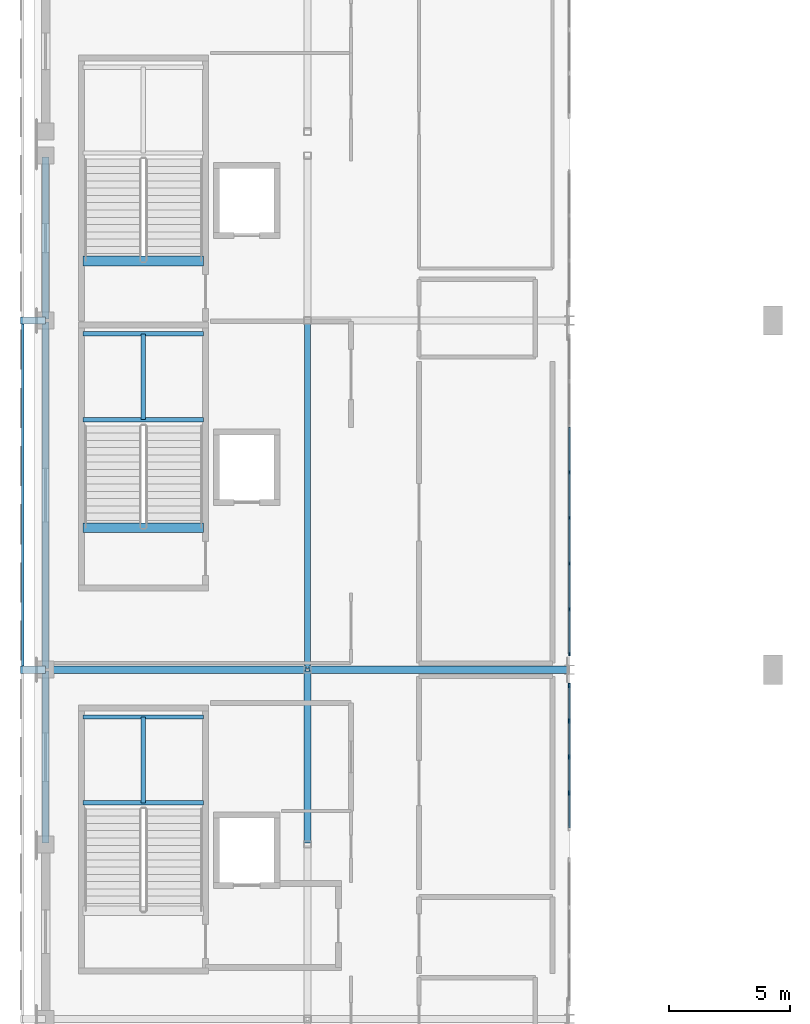
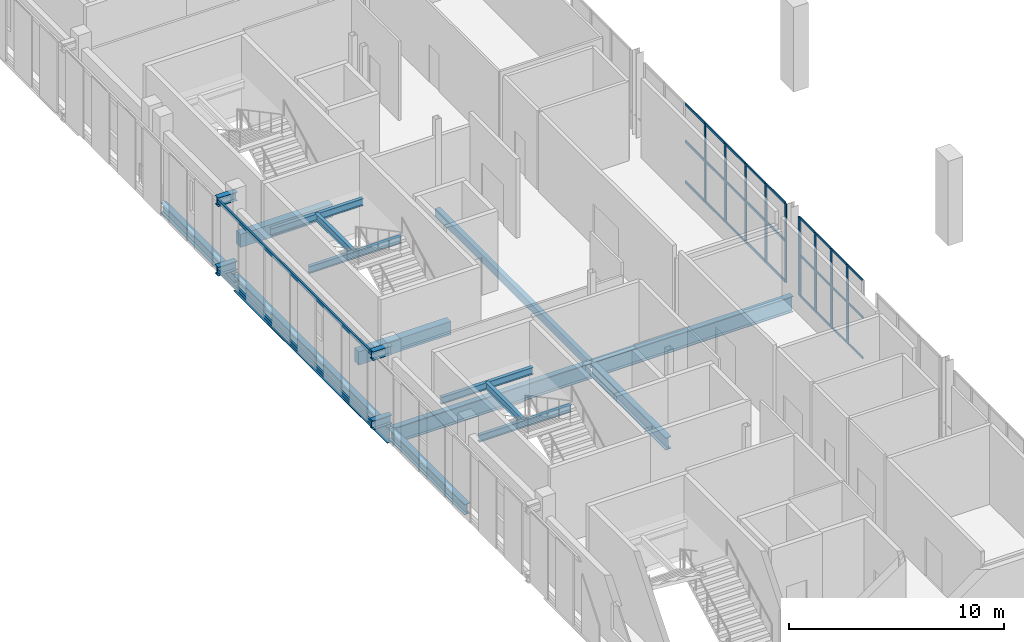
# One storey, part 10 of 51: 38 members, 19 beams, 2 elements without a shape of their own.
"""IFC4 building model written with IfcOpenShell, lengths in metres."""

import ifcopenshell
import ifcopenshell.guid

model = None  # the IFC model being written
_history = None  # IfcOwnerHistory: only IFC2X3 demands one
_inside = {}  # id of a spatial element -> (the spatial element, [elements in it])
_under = {}  # id of a project, library or spatial element -> (it, [spatial elements below it])
_declared = {}  # id of a project -> (the project, [libraries it declares])
_typed = {}  # id of a type object -> (the type object, [elements of that type])
_made_of = {}  # id of a material, layer set ... -> (it, [elements and type objects made of it])


def new_model(schema):
    """Start an empty IFC model of exactly this schema.

    Asked for "IFC4X3", IfcOpenShell would pick the latest addendum, in which some entities
    have other attributes; the version numbers below select the first issue.
    IFC2X3 requires an IfcOwnerHistory on every rooted entity: one is made here for all.
    """
    global model, _history
    if schema == "IFC4X3":
        model = ifcopenshell.file(schema_version=(4, 3, 0, 0))
    else:
        model = ifcopenshell.file(schema=schema)
    _inside.clear()
    _under.clear()
    _declared.clear()
    _typed.clear()
    _made_of.clear()
    _history = None
    if model.schema == "IFC2X3":
        org = make("IfcOrganization", Name="unknown")
        user = make(
            "IfcPersonAndOrganization",
            ThePerson=make("IfcPerson", FamilyName="unknown"),
            TheOrganization=org,
        )
        app = make(
            "IfcApplication",
            ApplicationDeveloper=org,
            Version="unknown",
            ApplicationFullName="unknown",
            ApplicationIdentifier="unknown",
        )
        _history = make(
            "IfcOwnerHistory",
            OwningUser=user,
            OwningApplication=app,
            ChangeAction="ADDED",
            CreationDate=0,
        )
    return model


def make(cls, **values):
    """One entity of the class cls with the attributes given. An attribute that is None is left unset."""
    return model.create_entity(
        cls, **{name: value for name, value in values.items() if value is not None}
    )


def rooted(cls, **values):
    """An entity with a GlobalId (a new one), such as an element, a storey or a relation."""
    return make(cls, GlobalId=ifcopenshell.guid.new(), OwnerHistory=_history, **values)


def si_unit(unit_type, name, prefix=None):
    """IfcSIUnit, for example si_unit("LENGTHUNIT", "METRE", prefix="MILLI")."""
    return make("IfcSIUnit", UnitType=unit_type, Prefix=prefix, Name=name)


def assignment(units):
    """IfcUnitAssignment: the units of a project."""
    return None if units is None else make("IfcUnitAssignment", Units=units)


def point(xyz):
    """IfcCartesianPoint."""
    return None if xyz is None else make("IfcCartesianPoint", Coordinates=xyz)


def direction(xyz):
    """IfcDirection."""
    return None if xyz is None else make("IfcDirection", DirectionRatios=xyz)


def frame(location, z_axis=None, x_axis=None):
    """IfcAxis2Placement3D, a coordinate frame: its origin and axes. An axis left out is left unset."""
    return make(
        "IfcAxis2Placement3D",
        Location=point(location),
        Axis=direction(z_axis),
        RefDirection=direction(x_axis),
    )


def frame_2d(location, x_axis=None):
    """IfcAxis2Placement2D, a coordinate frame in the plane: its origin and x axis."""
    return make(
        "IfcAxis2Placement2D", Location=point(location), RefDirection=direction(x_axis)
    )


def origin():
    """The frame at (0, 0, 0) with its axes left unset."""
    return frame((0.0, 0.0, 0.0))


def origin_2d():
    """The frame at (0, 0) in the plane with its x axis left unset."""
    return frame_2d((0.0, 0.0))


def place(relative_to, where):
    """IfcLocalPlacement: puts the frame where relative to a parent placement (None: the world)."""
    return make(
        "IfcLocalPlacement", PlacementRelTo=relative_to, RelativePlacement=where
    )


def context(
    kind, dimensions, precision=None, world=None, true_north=None, identifier=None
):
    """IfcGeometricRepresentationContext, for example the 3D "Model" context."""
    return make(
        "IfcGeometricRepresentationContext",
        ContextIdentifier=identifier,
        ContextType=kind,
        CoordinateSpaceDimension=dimensions,
        Precision=precision,
        WorldCoordinateSystem=world,
        TrueNorth=true_north,
    )


def subcontext(parent, identifier, kind, view, scale=None):
    """IfcGeometricRepresentationSubContext, for example "Body" below "Model"."""
    return make(
        "IfcGeometricRepresentationSubContext",
        ContextIdentifier=identifier,
        ContextType=kind,
        ParentContext=parent,
        TargetScale=scale,
        TargetView=view,
    )


def project(units=None, contexts=None):
    """IfcProject with its units and contexts."""
    return rooted(
        "IfcProject",
        Name="project",
        RepresentationContexts=contexts,
        UnitsInContext=assignment(units),
    )


def spatial(cls, under=None, at=None, **own):
    """A site, building, storey or space (cls), placed at a placement, below another one or the project."""
    s = rooted(cls, ObjectPlacement=at, **own)
    if under is not None:
        _under.setdefault(under.id(), (under, []))[1].append(s)
    return s


def profile(cls, at=None, kind="AREA", **sizes):
    """A parametric profile (cls). Its sizes go by their IFC names, for example OverallWidth=200.0."""
    return make(cls, ProfileType=kind, Position=at, **sizes)


def rectangle(**sizes):
    """IfcRectangleProfileDef."""
    return profile("IfcRectangleProfileDef", **sizes)


def hollow_rectangle(**sizes):
    """IfcRectangleHollowProfileDef."""
    return profile("IfcRectangleHollowProfileDef", **sizes)


def i_section(**sizes):
    """IfcIShapeProfileDef."""
    return profile("IfcIShapeProfileDef", **sizes)


def extrude(swept, where, along, depth):
    """IfcExtrudedAreaSolid: the profile swept, set in the frame where, extruded along a direction by depth."""
    return make(
        "IfcExtrudedAreaSolid",
        SweptArea=swept,
        Position=where,
        ExtrudedDirection=direction(along),
        Depth=depth,
    )


def shape(context_of_items, identifier, shape_type, items):
    """IfcShapeRepresentation: the items that make up one representation, for example the "Body"."""
    return make(
        "IfcShapeRepresentation",
        ContextOfItems=context_of_items,
        RepresentationIdentifier=identifier,
        RepresentationType=shape_type,
        Items=items,
    )


def material(Name=None, Category=None):
    """IfcMaterial."""
    return make("IfcMaterial", Name=Name, Category=Category)


def material_profile(
    of_material, cross_section, Name=None, Category=None, Priority=None
):
    """IfcMaterialProfile: a cross section and its material."""
    return make(
        "IfcMaterialProfile",
        Name=Name,
        Material=of_material,
        Profile=cross_section,
        Priority=Priority,
        Category=Category,
    )


def profile_set(profiles, Name=None, composite=None):
    """IfcMaterialProfileSet."""
    return make(
        "IfcMaterialProfileSet",
        Name=Name,
        MaterialProfiles=profiles,
        CompositeProfile=composite,
    )


def made_of(thing, what):
    """Note that an element or type object is made of a material, layer set ...; save() writes the relation."""
    if what is not None:
        _made_of.setdefault(what.id(), (what, []))[1].append(thing)
    return thing


def type_object(cls, material=None, **own):
    """A type object (cls), such as IfcWallType, which elements share."""
    return made_of(rooted(cls, **own), material)


def element(
    cls,
    number,
    at=None,
    inside=None,
    cuts=None,
    type_object=None,
    material=None,
    context=None,
    identifier="Body",
    shape_type=None,
    held_by="IfcProductDefinitionShape",
    body=None,
    shapes=None,
    **own,
):
    """One element of the class cls, such as IfcWall. Its Tag is "e" and its number.

    at: its placement. inside: the storey or other place that contains it. cuts: it is an
    opening in that element (IfcRelVoidsElement). A single representation is given by context,
    identifier, shape_type and body (its items); several are given by shapes. held_by: the class
    of the entity that holds the representations. save() writes the other relations.
    """
    e = rooted(cls, Tag="e%d" % number, ObjectPlacement=at, **own)
    if body is not None:
        shapes = [shape(context, identifier, shape_type, body)]
    if shapes is not None:
        e.Representation = make(held_by, Representations=shapes)
    if inside is not None:
        _inside.setdefault(inside.id(), (inside, []))[1].append(e)
    if cuts is not None:
        rooted(
            "IfcRelVoidsElement", RelatingBuildingElement=cuts, RelatedOpeningElement=e
        )
    if type_object is not None:
        _typed.setdefault(type_object.id(), (type_object, []))[1].append(e)
    return made_of(e, material)


def aggregate(whole, parts):
    """IfcRelAggregates: a whole, such as a stair, and the parts it consists of."""
    return rooted("IfcRelAggregates", RelatingObject=whole, RelatedObjects=parts)


def save(model, path):
    """Write the relations noted so far, then the file.

    IfcRelAggregates (storeys below a building ...), IfcRelContainedInSpatialStructure (elements
    in a storey), IfcRelDefinesByType, IfcRelAssociatesMaterial and IfcRelDeclares: one each for
    every whole, place, type object, material and project.
    """
    for whole, parts in _under.values():
        aggregate(whole, parts)
    for where, things in _inside.values():
        rooted(
            "IfcRelContainedInSpatialStructure",
            RelatedElements=things,
            RelatingStructure=where,
        )
    for kind, things in _typed.values():
        rooted("IfcRelDefinesByType", RelatedObjects=things, RelatingType=kind)
    for what, things in _made_of.values():
        rooted("IfcRelAssociatesMaterial", RelatedObjects=things, RelatingMaterial=what)
    for by, libraries in _declared.values():
        rooted("IfcRelDeclares", RelatingContext=by, RelatedDefinitions=libraries)
    model.write(path)


model = new_model("IFC4")

# Units and contexts
model_context = context("Model", 3, precision=1e-05, world=origin(), true_north=direction((0.0, 1.0)))
body_context = subcontext(model_context, "Body", "Model", "MODEL_VIEW")
ifc_project = project(units=[si_unit("LENGTHUNIT", "METRE"), si_unit("AREAUNIT", "SQUARE_METRE"), si_unit("VOLUMEUNIT", "CUBIC_METRE"), si_unit("PLANEANGLEUNIT", "RADIAN"), si_unit("MASSUNIT", "GRAM", prefix="KILO")], contexts=[model_context])

# Site, building, storey
site_placement = place(None, origin())
site = spatial("IfcSite", under=ifc_project, at=site_placement, CompositionType="ELEMENT")
building_placement = place(site_placement, origin())
building = spatial("IfcBuilding", under=site, at=building_placement, Name="Koshinbarg Plaza Stadium", CompositionType="ELEMENT")
storey_placement = place(building_placement, frame((0.0, 0.0, 24.60009765625)))
storey = spatial("IfcBuildingStorey", under=building, at=storey_placement, Name="L05", CompositionType="ELEMENT", Elevation=24.60009765625)

# Beams
ifc_material_1 = material(Name="Steel S355", Category="steel")
ifc_material_profile_1 = material_profile(ifc_material_1, i_section(OverallWidth=0.300048828125, OverallDepth=0.5, WebThickness=0.014404296875, FlangeThickness=0.028076171875, at=origin_2d()), Name="HEB 500")
ifc_profile_set_1 = profile_set([ifc_material_profile_1], Name="Steel S355")
beam_type_1 = type_object("IfcBeamType", Name="BM-CANOPY-CANT", PredefinedType="BEAM", material=ifc_profile_set_1)
for number, where, z_axis, x_axis, name in (
    (1, (24.60009765625, 54.300048828125, 0.25), (-1.0, 0.0, 0.0), (0.0, -1.0, 0.0), "Outer screen cantilever outrigger W-L05-Y03"),
    (2, (24.60009765625, 54.300048828125, 4.179931640625), (-1.0, 0.0, 0.0), (0.0, -1.0, 0.0), "Outer screen cantilever outrigger W-L05-Y03"),
    (3, (24.60009765625, 68.699951171875, 0.25), (-1.0, 0.0, 0.0), (0.0, -1.0, 0.0), "Outer screen cantilever outrigger W-L05-Y04"),
    (4, (24.60009765625, 68.699951171875, 4.179931640625), (-1.0, 0.0, 0.0), (0.0, -1.0, 0.0), "Outer screen cantilever outrigger W-L05-Y04"),
):
    element("IfcBeam", number, at=place(storey_placement, frame(where, z_axis=z_axis, x_axis=x_axis)), inside=storey, type_object=beam_type_1, Name=name, PredefinedType="BEAM", context=body_context, shape_type="SweptSolid", body=[
        extrude(i_section(OverallWidth=0.300048828125, OverallDepth=0.5, WebThickness=0.014404296875, FlangeThickness=0.028076171875, at=origin_2d()), origin(), (0.0, 0.0, 1.0), 1.030029296875),
    ])
ifc_material_2 = material(Name="Concrete C40/50", Category="concrete")
ifc_material_profile_2 = material_profile(ifc_material_2, rectangle(XDim=0.39990234375, YDim=0.75, at=origin_2d()), Name="RC 400x750")
ifc_profile_set_2 = profile_set([ifc_material_profile_2], Name="Concrete C40/50")
beam_type_2 = type_object("IfcBeamType", Name="BM-RCG-03", PredefinedType="USERDEFINED", material=ifc_profile_set_2)
for number, where, z_axis, x_axis, name in (
    (5, (26.14990234375, 60.159912109375, -0.375), (1.0, 0.0, 0.0), (0.0, 1.0, 0.0), "L05 stair landing header beam C03"),
    (6, (26.14990234375, 71.159912109375, -0.375), (1.0, 0.0, 0.0), (0.0, 1.0, 0.0), "L05 stair landing header beam C04"),
):
    element("IfcBeam", number, at=place(storey_placement, frame(where, z_axis=z_axis, x_axis=x_axis)), inside=storey, type_object=beam_type_2, Name=name, ObjectType="GIRDER", PredefinedType="USERDEFINED", context=body_context, shape_type="SweptSolid", body=[
        extrude(rectangle(XDim=0.39990234375, YDim=0.75, at=origin_2d()), origin(), (0.0, 0.0, 1.0), 4.97021484375),
    ])
ifc_material_profile_3 = material_profile(ifc_material_1, i_section(OverallWidth=0.179931640625, OverallDepth=0.39990234375, WebThickness=0.008544921875, FlangeThickness=0.013427734375, at=origin_2d()), Name="IPE 400")
ifc_profile_set_3 = profile_set([ifc_material_profile_3], Name="Steel S355")
beam_type_3 = type_object("IfcBeamType", Name="BM-SBM-01", PredefinedType="BEAM", material=ifc_profile_set_3)
for number, where, z_axis, x_axis, name in (
    (7, (26.14990234375, 48.81005859375, 1.8798828125), (1.0, 0.0, 0.0), (0.0, 1.0, 0.0), "L05 Protected Exit Stair C02 landing trimmer beam 1"),
    (8, (26.14990234375, 52.35009765625, 1.8798828125), (1.0, 0.0, 0.0), (0.0, 1.0, 0.0), "L05 Protected Exit Stair C02 landing trimmer beam 2"),
):
    element("IfcBeam", number, at=place(storey_placement, frame(where, z_axis=z_axis, x_axis=x_axis)), inside=storey, type_object=beam_type_3, Name=name, PredefinedType="BEAM", context=body_context, shape_type="SweptSolid", body=[
        extrude(i_section(OverallWidth=0.179931640625, OverallDepth=0.39990234375, WebThickness=0.008544921875, FlangeThickness=0.013427734375, at=origin_2d()), origin(), (0.0, 0.0, 1.0), 4.97021484375),
    ])
beam_1_placement = place(storey_placement, frame((28.635009765625, 48.81005859375, 1.8798828125), z_axis=(0.0, 1.0, 0.0), x_axis=(-1.0, 0.0, 0.0)))
element("IfcBeam", 9, at=beam_1_placement, inside=storey, type_object=beam_type_3, Name="L05 Protected Exit Stair C02 landing trimmer beam 3", PredefinedType="BEAM", context=body_context, shape_type="SweptSolid", body=[
    extrude(i_section(OverallWidth=0.179931640625, OverallDepth=0.39990234375, WebThickness=0.008544921875, FlangeThickness=0.013427734375, at=origin_2d()), origin(), (0.0, 0.0, 1.0), 3.5400390625),
])
for number, where, z_axis, x_axis, name in (
    (10, (26.14990234375, 64.610107421875, 1.8798828125), (1.0, 0.0, 0.0), (0.0, 1.0, 0.0), "L05 Protected Exit Stair C03 landing trimmer beam 1"),
    (11, (26.14990234375, 68.14990234375, 1.8798828125), (1.0, 0.0, 0.0), (0.0, 1.0, 0.0), "L05 Protected Exit Stair C03 landing trimmer beam 2"),
):
    element("IfcBeam", number, at=place(storey_placement, frame(where, z_axis=z_axis, x_axis=x_axis)), inside=storey, type_object=beam_type_3, Name=name, PredefinedType="BEAM", context=body_context, shape_type="SweptSolid", body=[
        extrude(i_section(OverallWidth=0.179931640625, OverallDepth=0.39990234375, WebThickness=0.008544921875, FlangeThickness=0.013427734375, at=origin_2d()), origin(), (0.0, 0.0, 1.0), 4.97021484375),
    ])
beam_2_placement = place(storey_placement, frame((28.635009765625, 64.610107421875, 1.8798828125), z_axis=(0.0, 1.0, 0.0), x_axis=(-1.0, 0.0, 0.0)))
element("IfcBeam", 12, at=beam_2_placement, inside=storey, type_object=beam_type_3, Name="L05 Protected Exit Stair C03 landing trimmer beam 3", PredefinedType="BEAM", context=body_context, shape_type="SweptSolid", body=[
    extrude(i_section(OverallWidth=0.179931640625, OverallDepth=0.39990234375, WebThickness=0.008544921875, FlangeThickness=0.013427734375, at=origin_2d()), origin(), (0.0, 0.0, 1.0), 3.539794921875),
])
ifc_material_profile_4 = material_profile(ifc_material_1, i_section(OverallWidth=0.300048828125, OverallDepth=0.60009765625, WebThickness=0.015380859375, FlangeThickness=0.030029296875, at=origin_2d()), Name="HEB 600")
ifc_profile_set_4 = profile_set([ifc_material_profile_4], Name="Steel S355")
beam_type_4 = type_object("IfcBeamType", Name="BM-SGIR-02", PredefinedType="USERDEFINED", material=ifc_profile_set_4)
beam_3_placement = place(storey_placement, frame((24.60009765625, 47.159912109375, -0.60009765625), z_axis=(0.0, 1.0, 0.0), x_axis=(-1.0, 0.0, 0.0)))
element("IfcBeam", 13, at=beam_3_placement, inside=storey, type_object=beam_type_4, Name="L05 Y girder 5/G-H", ObjectType="GIRDER", PredefinedType="USERDEFINED", context=body_context, shape_type="SweptSolid", body=[
    extrude(i_section(OverallWidth=0.300048828125, OverallDepth=0.60009765625, WebThickness=0.015380859375, FlangeThickness=0.030029296875, at=origin_2d()), origin(), (0.0, 0.0, 1.0), 7.080078125),
])
beam_4_placement = place(storey_placement, frame((24.60009765625, 68.760009765625, -0.60009765625), z_axis=(0.0, 1.0, 0.0), x_axis=(-1.0, 0.0, 0.0)))
element("IfcBeam", 14, at=beam_4_placement, inside=storey, type_object=beam_type_4, Name="L05 Y girder 5/J-K", ObjectType="GIRDER", PredefinedType="USERDEFINED", context=body_context, shape_type="SweptSolid", body=[
    extrude(i_section(OverallWidth=0.300048828125, OverallDepth=0.60009765625, WebThickness=0.015380859375, FlangeThickness=0.030029296875, at=origin_2d()), origin(), (0.0, 0.0, 1.0), 6.679931640625),
])
ifc_material_profile_5 = material_profile(ifc_material_1, i_section(OverallWidth=0.300048828125, OverallDepth=0.699951171875, WebThickness=0.01708984375, FlangeThickness=0.031982421875, at=origin_2d()), Name="HEB 700")
ifc_profile_set_5 = profile_set([ifc_material_profile_5], Name="Steel S355")
beam_type_5 = type_object("IfcBeamType", Name="BM-SGIR-03", PredefinedType="USERDEFINED", material=ifc_profile_set_5)
beam_5_placement = place(storey_placement, frame((35.39990234375, 47.159912109375, -0.650146484375), z_axis=(0.0, 1.0, 0.0), x_axis=(-1.0, 0.0, 0.0)))
element("IfcBeam", 15, at=beam_5_placement, inside=storey, type_object=beam_type_5, Name="L05 Y girder 6/G-H", ObjectType="GIRDER", PredefinedType="USERDEFINED", context=body_context, shape_type="SweptSolid", body=[
    extrude(i_section(OverallWidth=0.300048828125, OverallDepth=0.699951171875, WebThickness=0.01708984375, FlangeThickness=0.031982421875, at=origin_2d()), origin(), (0.0, 0.0, 1.0), 7.080078125),
])
ifc_material_profile_6 = material_profile(ifc_material_1, i_section(OverallWidth=0.300048828125, OverallDepth=0.89990234375, WebThickness=0.0185546875, FlangeThickness=0.034912109375, at=origin_2d()), Name="HEB 900")
ifc_profile_set_6 = profile_set([ifc_material_profile_6], Name="Steel S355")
beam_type_6 = type_object("IfcBeamType", Name="BM-SGIR-05", PredefinedType="USERDEFINED", material=ifc_profile_set_6)
beam_6_placement = place(storey_placement, frame((24.659912109375, 54.300048828125, -0.75), z_axis=(1.0, 0.0, 0.0), x_axis=(0.0, 1.0, 0.0)))
element("IfcBeam", 16, at=beam_6_placement, inside=storey, type_object=beam_type_6, Name="L05 X girder H/5-6", ObjectType="GIRDER", PredefinedType="USERDEFINED", context=body_context, shape_type="SweptSolid", body=[
    extrude(i_section(OverallWidth=0.300048828125, OverallDepth=0.89990234375, WebThickness=0.0185546875, FlangeThickness=0.034912109375, at=origin_2d()), origin(), (0.0, 0.0, 1.0), 10.68017578125),
])
beam_7_placement = place(storey_placement, frame((35.4599609375, 54.300048828125, -0.75), z_axis=(1.0, 0.0, 0.0), x_axis=(0.0, 1.0, 0.0)))
element("IfcBeam", 17, at=beam_7_placement, inside=storey, type_object=beam_type_6, Name="L05 X girder H/6-7", ObjectType="GIRDER", PredefinedType="USERDEFINED", context=body_context, shape_type="SweptSolid", body=[
    extrude(i_section(OverallWidth=0.300048828125, OverallDepth=0.89990234375, WebThickness=0.0185546875, FlangeThickness=0.034912109375, at=origin_2d()), origin(), (0.0, 0.0, 1.0), 10.679931640625),
])
beam_8_placement = place(storey_placement, frame((24.60009765625, 54.360107421875, -0.75), z_axis=(0.0, 1.0, 0.0), x_axis=(-1.0, 0.0, 0.0)))
element("IfcBeam", 18, at=beam_8_placement, inside=storey, type_object=beam_type_6, Name="L05 Y girder 5/H-J", ObjectType="GIRDER", PredefinedType="USERDEFINED", context=body_context, shape_type="SweptSolid", body=[
    extrude(i_section(OverallWidth=0.300048828125, OverallDepth=0.89990234375, WebThickness=0.0185546875, FlangeThickness=0.034912109375, at=origin_2d()), origin(), (0.0, 0.0, 1.0), 14.27978515625),
])
ifc_material_profile_7 = material_profile(ifc_material_1, hollow_rectangle(XDim=0.25, YDim=0.449951171875, WallThickness=0.01611328125, at=origin_2d()), Name="RHS 450x250x16")
ifc_profile_set_7 = profile_set([ifc_material_profile_7], Name="Steel S355")
beam_type_7 = type_object("IfcBeamType", Name="BM-SGIR-06", PredefinedType="USERDEFINED", material=ifc_profile_set_7)
beam_9_placement = place(storey_placement, frame((35.39990234375, 54.360107421875, -0.525146484375), z_axis=(0.0, 1.0, 0.0), x_axis=(-1.0, 0.0, 0.0)))
element("IfcBeam", 19, at=beam_9_placement, inside=storey, type_object=beam_type_7, Name="L05 Y girder 6/H-J", ObjectType="GIRDER", PredefinedType="USERDEFINED", context=body_context, shape_type="SweptSolid", body=[
    extrude(hollow_rectangle(XDim=0.25, YDim=0.449951171875, WallThickness=0.01611328125, at=origin_2d()), origin(), (0.0, 0.0, 1.0), 14.27978515625),
])

# Curtain wall, members
ifc_material_3 = material(Name="Thermally broken anodised aluminium and low-E double glazing", Category="aluminium")
curtain_wall_type_1 = type_object("IfcCurtainWallType", Name="CW-SYS-10", PredefinedType="NOTDEFINED", material=ifc_material_3)
curtain_wall_1_placement = place(storey_placement, origin())
curtain_wall_1 = element("IfcCurtainWall", 20, at=curtain_wall_1_placement, inside=storey, type_object=curtain_wall_type_1, Name="L05 unitised curtain wall CW-L05-137", PredefinedType="NOTDEFINED")
ifc_material_4 = material(Name="Anodised aluminium mullion", Category="aluminium")
ifc_material_profile_8 = material_profile(ifc_material_4, rectangle(XDim=0.06005859375, YDim=0.159912109375, at=origin_2d()), Name="ALU 60x160")
ifc_profile_set_8 = profile_set([ifc_material_profile_8], Name="Anodised aluminium mullion")
member_type_1 = type_object("IfcMemberType", Name="CW-MUL-02", PredefinedType="MULLION", material=ifc_profile_set_8)
member_1_placement = place(storey_placement, frame((46.199951171875, 62.43994140625, 0.0), z_axis=(0.0, 0.0, 1.0), x_axis=(1.0, 0.0, 0.0)))
member_1 = element("IfcMember", 21, at=member_1_placement, type_object=member_type_1, Name="CW10 mullion 4", PredefinedType="MULLION", context=body_context, shape_type="SweptSolid", body=[
    extrude(rectangle(XDim=0.06005859375, YDim=0.159912109375, at=origin_2d()), origin(), (0.0, 0.0, 1.0), 4.47998046875),
])
member_2_placement = place(storey_placement, frame((46.199951171875, 60.56005859375, 0.0), z_axis=(0.0, 0.0, 1.0), x_axis=(1.0, 0.0, 0.0)))
member_2 = element("IfcMember", 22, at=member_2_placement, type_object=member_type_1, Name="CW10 mullion 5", PredefinedType="MULLION", context=body_context, shape_type="SweptSolid", body=[
    extrude(rectangle(XDim=0.06005859375, YDim=0.159912109375, at=origin_2d()), origin(), (0.0, 0.0, 1.0), 4.47998046875),
])
member_3_placement = place(storey_placement, frame((46.199951171875, 58.679931640625, 0.0), z_axis=(0.0, 0.0, 1.0), x_axis=(1.0, 0.0, 0.0)))
member_3 = element("IfcMember", 23, at=member_3_placement, type_object=member_type_1, Name="CW10 mullion 6", PredefinedType="MULLION", context=body_context, shape_type="SweptSolid", body=[
    extrude(rectangle(XDim=0.06005859375, YDim=0.159912109375, at=origin_2d()), origin(), (0.0, 0.0, 1.0), 4.47998046875),
])
member_4_placement = place(storey_placement, frame((46.199951171875, 56.800048828125, 0.0), z_axis=(0.0, 0.0, 1.0), x_axis=(1.0, 0.0, 0.0)))
member_4 = element("IfcMember", 24, at=member_4_placement, type_object=member_type_1, Name="CW10 mullion 7", PredefinedType="MULLION", context=body_context, shape_type="SweptSolid", body=[
    extrude(rectangle(XDim=0.06005859375, YDim=0.159912109375, at=origin_2d()), origin(), (0.0, 0.0, 1.0), 4.47998046875),
])
member_5_placement = place(storey_placement, frame((46.199951171875, 54.949951171875, 0.0), z_axis=(0.0, 0.0, 1.0), x_axis=(1.0, 0.0, 0.0)))
member_5 = element("IfcMember", 25, at=member_5_placement, type_object=member_type_1, Name="CW10 mullion 8", PredefinedType="MULLION", context=body_context, shape_type="SweptSolid", body=[
    extrude(rectangle(XDim=0.06005859375, YDim=0.159912109375, at=origin_2d()), origin(), (0.0, 0.0, 1.0), 4.47998046875),
])

curtain_wall_type_2 = type_object("IfcCurtainWallType", Name="CW-SYS-11", PredefinedType="NOTDEFINED", material=ifc_material_3)
curtain_wall_2_placement = place(storey_placement, origin())
curtain_wall_2 = element("IfcCurtainWall", 26, at=curtain_wall_2_placement, inside=storey, type_object=curtain_wall_type_2, Name="L05 unitised curtain wall CW-L05-138", PredefinedType="NOTDEFINED")
ifc_material_profile_9 = material_profile(ifc_material_4, rectangle(XDim=0.070068359375, YDim=0.179931640625, at=origin_2d()), Name="ALU 70x180")
ifc_profile_set_9 = profile_set([ifc_material_profile_9], Name="Anodised aluminium mullion")
member_type_2 = type_object("IfcMemberType", Name="CW-MUL-03", PredefinedType="MULLION", material=ifc_profile_set_9)
member_6_placement = place(storey_placement, frame((46.199951171875, 53.64990234375, 0.0), z_axis=(0.0, 0.0, 1.0), x_axis=(1.0, 0.0, 0.0)))
member_6 = element("IfcMember", 27, at=member_6_placement, type_object=member_type_2, Name="CW11 mullion 1", PredefinedType="MULLION", context=body_context, shape_type="SweptSolid", body=[
    extrude(rectangle(XDim=0.070068359375, YDim=0.179931640625, at=origin_2d()), origin(), (0.0, 0.0, 1.0), 4.47998046875),
])
member_7_placement = place(storey_placement, frame((46.199951171875, 52.18994140625, 0.0), z_axis=(0.0, 0.0, 1.0), x_axis=(1.0, 0.0, 0.0)))
member_7 = element("IfcMember", 28, at=member_7_placement, type_object=member_type_2, Name="CW11 mullion 2", PredefinedType="MULLION", context=body_context, shape_type="SweptSolid", body=[
    extrude(rectangle(XDim=0.070068359375, YDim=0.179931640625, at=origin_2d()), origin(), (0.0, 0.0, 1.0), 4.47998046875),
])
member_8_placement = place(storey_placement, frame((46.199951171875, 50.699951171875, 0.0), z_axis=(0.0, 0.0, 1.0), x_axis=(1.0, 0.0, 0.0)))
member_8 = element("IfcMember", 29, at=member_8_placement, type_object=member_type_2, Name="CW11 mullion 3", PredefinedType="MULLION", context=body_context, shape_type="SweptSolid", body=[
    extrude(rectangle(XDim=0.070068359375, YDim=0.179931640625, at=origin_2d()), origin(), (0.0, 0.0, 1.0), 4.47998046875),
])
member_9_placement = place(storey_placement, frame((46.199951171875, 49.2099609375, 0.0), z_axis=(0.0, 0.0, 1.0), x_axis=(1.0, 0.0, 0.0)))
member_9 = element("IfcMember", 30, at=member_9_placement, type_object=member_type_2, Name="CW11 mullion 4", PredefinedType="MULLION", context=body_context, shape_type="SweptSolid", body=[
    extrude(rectangle(XDim=0.070068359375, YDim=0.179931640625, at=origin_2d()), origin(), (0.0, 0.0, 1.0), 4.47998046875),
])
ifc_material_5 = material(Name="Anodised aluminium transom", Category="aluminium")
ifc_material_profile_10 = material_profile(ifc_material_5, rectangle(XDim=0.06005859375, YDim=0.110107421875, at=origin_2d()), Name="ALU 60x110")
ifc_profile_set_10 = profile_set([ifc_material_profile_10], Name="Anodised aluminium transom")
member_type_3 = type_object("IfcMemberType", Name="CW-TRN-01", PredefinedType="USERDEFINED", material=ifc_profile_set_10)
member_10_placement = place(storey_placement, frame((46.199951171875, 53.6201171875, 0.02978515625), z_axis=(0.0, -1.0, 0.0), x_axis=(1.0, 0.0, 0.0)))
member_10 = element("IfcMember", 31, at=member_10_placement, type_object=member_type_3, Name="CW11 transom 1.1", ObjectType="TRANSOM", PredefinedType="USERDEFINED", context=body_context, shape_type="SweptSolid", body=[
    extrude(rectangle(XDim=0.06005859375, YDim=0.110107421875, at=origin_2d()), origin(), (0.0, 0.0, 1.0), 1.400146484375),
])
member_11_placement = place(storey_placement, frame((46.199951171875, 53.6201171875, 2.32958984375), z_axis=(0.0, -1.0, 0.0), x_axis=(1.0, 0.0, 0.0)))
member_11 = element("IfcMember", 32, at=member_11_placement, type_object=member_type_3, Name="CW11 transom 1.2", ObjectType="TRANSOM", PredefinedType="USERDEFINED", context=body_context, shape_type="SweptSolid", body=[
    extrude(rectangle(XDim=0.06005859375, YDim=0.110107421875, at=origin_2d()), origin(), (0.0, 0.0, 1.0), 1.400146484375),
])
member_12_placement = place(storey_placement, frame((46.199951171875, 53.6201171875, 4.449951171875), z_axis=(0.0, -1.0, 0.0), x_axis=(1.0, 0.0, 0.0)))
member_12 = element("IfcMember", 33, at=member_12_placement, type_object=member_type_3, Name="CW11 transom 1.3", ObjectType="TRANSOM", PredefinedType="USERDEFINED", context=body_context, shape_type="SweptSolid", body=[
    extrude(rectangle(XDim=0.06005859375, YDim=0.110107421875, at=origin_2d()), origin(), (0.0, 0.0, 1.0), 1.400146484375),
])
member_13_placement = place(storey_placement, frame((46.199951171875, 52.159912109375, 0.02978515625), z_axis=(0.0, -1.0, 0.0), x_axis=(1.0, 0.0, 0.0)))
member_13 = element("IfcMember", 34, at=member_13_placement, type_object=member_type_3, Name="CW11 transom 2.1", ObjectType="TRANSOM", PredefinedType="USERDEFINED", context=body_context, shape_type="SweptSolid", body=[
    extrude(rectangle(XDim=0.06005859375, YDim=0.110107421875, at=origin_2d()), origin(), (0.0, 0.0, 1.0), 1.429931640625),
])
member_14_placement = place(storey_placement, frame((46.199951171875, 52.159912109375, 2.32958984375), z_axis=(0.0, -1.0, 0.0), x_axis=(1.0, 0.0, 0.0)))
member_14 = element("IfcMember", 35, at=member_14_placement, type_object=member_type_3, Name="CW11 transom 2.2", ObjectType="TRANSOM", PredefinedType="USERDEFINED", context=body_context, shape_type="SweptSolid", body=[
    extrude(rectangle(XDim=0.06005859375, YDim=0.110107421875, at=origin_2d()), origin(), (0.0, 0.0, 1.0), 1.429931640625),
])
member_15_placement = place(storey_placement, frame((46.199951171875, 52.159912109375, 4.449951171875), z_axis=(0.0, -1.0, 0.0), x_axis=(1.0, 0.0, 0.0)))
member_15 = element("IfcMember", 36, at=member_15_placement, type_object=member_type_3, Name="CW11 transom 2.3", ObjectType="TRANSOM", PredefinedType="USERDEFINED", context=body_context, shape_type="SweptSolid", body=[
    extrude(rectangle(XDim=0.06005859375, YDim=0.110107421875, at=origin_2d()), origin(), (0.0, 0.0, 1.0), 1.429931640625),
])
member_16_placement = place(storey_placement, frame((46.199951171875, 50.669921875, 0.02978515625), z_axis=(0.0, -1.0, 0.0), x_axis=(1.0, 0.0, 0.0)))
member_16 = element("IfcMember", 37, at=member_16_placement, type_object=member_type_3, Name="CW11 transom 3.1", ObjectType="TRANSOM", PredefinedType="USERDEFINED", context=body_context, shape_type="SweptSolid", body=[
    extrude(rectangle(XDim=0.06005859375, YDim=0.110107421875, at=origin_2d()), origin(), (0.0, 0.0, 1.0), 1.429931640625),
])
member_17_placement = place(storey_placement, frame((46.199951171875, 50.669921875, 2.32958984375), z_axis=(0.0, -1.0, 0.0), x_axis=(1.0, 0.0, 0.0)))
member_17 = element("IfcMember", 38, at=member_17_placement, type_object=member_type_3, Name="CW11 transom 3.2", ObjectType="TRANSOM", PredefinedType="USERDEFINED", context=body_context, shape_type="SweptSolid", body=[
    extrude(rectangle(XDim=0.06005859375, YDim=0.110107421875, at=origin_2d()), origin(), (0.0, 0.0, 1.0), 1.429931640625),
])
member_18_placement = place(storey_placement, frame((46.199951171875, 50.669921875, 4.449951171875), z_axis=(0.0, -1.0, 0.0), x_axis=(1.0, 0.0, 0.0)))
member_18 = element("IfcMember", 39, at=member_18_placement, type_object=member_type_3, Name="CW11 transom 3.3", ObjectType="TRANSOM", PredefinedType="USERDEFINED", context=body_context, shape_type="SweptSolid", body=[
    extrude(rectangle(XDim=0.06005859375, YDim=0.110107421875, at=origin_2d()), origin(), (0.0, 0.0, 1.0), 1.429931640625),
])
member_19_placement = place(storey_placement, frame((46.199951171875, 49.179931640625, 0.02978515625), z_axis=(0.0, -1.0, 0.0), x_axis=(1.0, 0.0, 0.0)))
member_19 = element("IfcMember", 40, at=member_19_placement, type_object=member_type_3, Name="CW11 transom 4.1", ObjectType="TRANSOM", PredefinedType="USERDEFINED", context=body_context, shape_type="SweptSolid", body=[
    extrude(rectangle(XDim=0.06005859375, YDim=0.110107421875, at=origin_2d()), origin(), (0.0, 0.0, 1.0), 1.39990234375),
])
member_20_placement = place(storey_placement, frame((46.199951171875, 49.179931640625, 2.32958984375), z_axis=(0.0, -1.0, 0.0), x_axis=(1.0, 0.0, 0.0)))
member_20 = element("IfcMember", 41, at=member_20_placement, type_object=member_type_3, Name="CW11 transom 4.2", ObjectType="TRANSOM", PredefinedType="USERDEFINED", context=body_context, shape_type="SweptSolid", body=[
    extrude(rectangle(XDim=0.06005859375, YDim=0.110107421875, at=origin_2d()), origin(), (0.0, 0.0, 1.0), 1.39990234375),
])
member_21_placement = place(storey_placement, frame((46.199951171875, 49.179931640625, 4.449951171875), z_axis=(0.0, -1.0, 0.0), x_axis=(1.0, 0.0, 0.0)))
member_21 = element("IfcMember", 42, at=member_21_placement, type_object=member_type_3, Name="CW11 transom 4.3", ObjectType="TRANSOM", PredefinedType="USERDEFINED", context=body_context, shape_type="SweptSolid", body=[
    extrude(rectangle(XDim=0.06005859375, YDim=0.110107421875, at=origin_2d()), origin(), (0.0, 0.0, 1.0), 1.39990234375),
])
aggregate(curtain_wall_2, [member_6, member_7, member_8, member_9, member_10, member_11, member_12, member_13, member_14, member_15, member_16, member_17, member_18, member_19, member_20, member_21])

# Member
ifc_material_profile_11 = material_profile(ifc_material_5, rectangle(XDim=0.06005859375, YDim=0.1298828125, at=origin_2d()), Name="ALU 60x130")
ifc_profile_set_11 = profile_set([ifc_material_profile_11], Name="Anodised aluminium transom")
member_type_4 = type_object("IfcMemberType", Name="CW-TRN-02", PredefinedType="USERDEFINED", material=ifc_profile_set_11)
member_22_placement = place(storey_placement, frame((46.199951171875, 64.2900390625, 0.02978515625), z_axis=(0.0, -1.0, 0.0), x_axis=(1.0, 0.0, 0.0)))
member_22 = element("IfcMember", 43, at=member_22_placement, type_object=member_type_4, Name="CW10 transom 3.1", ObjectType="TRANSOM", PredefinedType="USERDEFINED", context=body_context, shape_type="SweptSolid", body=[
    extrude(rectangle(XDim=0.06005859375, YDim=0.1298828125, at=origin_2d()), origin(), (0.0, 0.0, 1.0), 1.820068359375),
])

member_23_placement = place(storey_placement, frame((46.199951171875, 64.2900390625, 2.32958984375), z_axis=(0.0, -1.0, 0.0), x_axis=(1.0, 0.0, 0.0)))
member_23 = element("IfcMember", 44, at=member_23_placement, type_object=member_type_4, Name="CW10 transom 3.2", ObjectType="TRANSOM", PredefinedType="USERDEFINED", context=body_context, shape_type="SweptSolid", body=[
    extrude(rectangle(XDim=0.06005859375, YDim=0.1298828125, at=origin_2d()), origin(), (0.0, 0.0, 1.0), 1.820068359375),
])

member_24_placement = place(storey_placement, frame((46.199951171875, 64.2900390625, 4.449951171875), z_axis=(0.0, -1.0, 0.0), x_axis=(1.0, 0.0, 0.0)))
member_24 = element("IfcMember", 45, at=member_24_placement, type_object=member_type_4, Name="CW10 transom 3.3", ObjectType="TRANSOM", PredefinedType="USERDEFINED", context=body_context, shape_type="SweptSolid", body=[
    extrude(rectangle(XDim=0.06005859375, YDim=0.1298828125, at=origin_2d()), origin(), (0.0, 0.0, 1.0), 1.820068359375),
])

member_25_placement = place(storey_placement, frame((46.199951171875, 62.409912109375, 0.02978515625), z_axis=(0.0, -1.0, 0.0), x_axis=(1.0, 0.0, 0.0)))
member_25 = element("IfcMember", 46, at=member_25_placement, type_object=member_type_4, Name="CW10 transom 4.1", ObjectType="TRANSOM", PredefinedType="USERDEFINED", context=body_context, shape_type="SweptSolid", body=[
    extrude(rectangle(XDim=0.06005859375, YDim=0.1298828125, at=origin_2d()), origin(), (0.0, 0.0, 1.0), 1.81982421875),
])

member_26_placement = place(storey_placement, frame((46.199951171875, 62.409912109375, 2.32958984375), z_axis=(0.0, -1.0, 0.0), x_axis=(1.0, 0.0, 0.0)))
member_26 = element("IfcMember", 47, at=member_26_placement, type_object=member_type_4, Name="CW10 transom 4.2", ObjectType="TRANSOM", PredefinedType="USERDEFINED", context=body_context, shape_type="SweptSolid", body=[
    extrude(rectangle(XDim=0.06005859375, YDim=0.1298828125, at=origin_2d()), origin(), (0.0, 0.0, 1.0), 1.81982421875),
])

member_27_placement = place(storey_placement, frame((46.199951171875, 62.409912109375, 4.449951171875), z_axis=(0.0, -1.0, 0.0), x_axis=(1.0, 0.0, 0.0)))
member_27 = element("IfcMember", 48, at=member_27_placement, type_object=member_type_4, Name="CW10 transom 4.3", ObjectType="TRANSOM", PredefinedType="USERDEFINED", context=body_context, shape_type="SweptSolid", body=[
    extrude(rectangle(XDim=0.06005859375, YDim=0.1298828125, at=origin_2d()), origin(), (0.0, 0.0, 1.0), 1.81982421875),
])

member_28_placement = place(storey_placement, frame((46.199951171875, 60.530029296875, 0.02978515625), z_axis=(0.0, -1.0, 0.0), x_axis=(1.0, 0.0, 0.0)))
member_28 = element("IfcMember", 49, at=member_28_placement, type_object=member_type_4, Name="CW10 transom 5.1", ObjectType="TRANSOM", PredefinedType="USERDEFINED", context=body_context, shape_type="SweptSolid", body=[
    extrude(rectangle(XDim=0.06005859375, YDim=0.1298828125, at=origin_2d()), origin(), (0.0, 0.0, 1.0), 1.820068359375),
])

member_29_placement = place(storey_placement, frame((46.199951171875, 60.530029296875, 2.32958984375), z_axis=(0.0, -1.0, 0.0), x_axis=(1.0, 0.0, 0.0)))
member_29 = element("IfcMember", 50, at=member_29_placement, type_object=member_type_4, Name="CW10 transom 5.2", ObjectType="TRANSOM", PredefinedType="USERDEFINED", context=body_context, shape_type="SweptSolid", body=[
    extrude(rectangle(XDim=0.06005859375, YDim=0.1298828125, at=origin_2d()), origin(), (0.0, 0.0, 1.0), 1.820068359375),
])

member_30_placement = place(storey_placement, frame((46.199951171875, 60.530029296875, 4.449951171875), z_axis=(0.0, -1.0, 0.0), x_axis=(1.0, 0.0, 0.0)))
member_30 = element("IfcMember", 51, at=member_30_placement, type_object=member_type_4, Name="CW10 transom 5.3", ObjectType="TRANSOM", PredefinedType="USERDEFINED", context=body_context, shape_type="SweptSolid", body=[
    extrude(rectangle(XDim=0.06005859375, YDim=0.1298828125, at=origin_2d()), origin(), (0.0, 0.0, 1.0), 1.820068359375),
])

member_31_placement = place(storey_placement, frame((46.199951171875, 58.64990234375, 0.02978515625), z_axis=(0.0, -1.0, 0.0), x_axis=(1.0, 0.0, 0.0)))
member_31 = element("IfcMember", 52, at=member_31_placement, type_object=member_type_4, Name="CW10 transom 6.1", ObjectType="TRANSOM", PredefinedType="USERDEFINED", context=body_context, shape_type="SweptSolid", body=[
    extrude(rectangle(XDim=0.06005859375, YDim=0.1298828125, at=origin_2d()), origin(), (0.0, 0.0, 1.0), 1.81982421875),
])

member_32_placement = place(storey_placement, frame((46.199951171875, 58.64990234375, 2.32958984375), z_axis=(0.0, -1.0, 0.0), x_axis=(1.0, 0.0, 0.0)))
member_32 = element("IfcMember", 53, at=member_32_placement, type_object=member_type_4, Name="CW10 transom 6.2", ObjectType="TRANSOM", PredefinedType="USERDEFINED", context=body_context, shape_type="SweptSolid", body=[
    extrude(rectangle(XDim=0.06005859375, YDim=0.1298828125, at=origin_2d()), origin(), (0.0, 0.0, 1.0), 1.81982421875),
])

member_33_placement = place(storey_placement, frame((46.199951171875, 58.64990234375, 4.449951171875), z_axis=(0.0, -1.0, 0.0), x_axis=(1.0, 0.0, 0.0)))
member_33 = element("IfcMember", 54, at=member_33_placement, type_object=member_type_4, Name="CW10 transom 6.3", ObjectType="TRANSOM", PredefinedType="USERDEFINED", context=body_context, shape_type="SweptSolid", body=[
    extrude(rectangle(XDim=0.06005859375, YDim=0.1298828125, at=origin_2d()), origin(), (0.0, 0.0, 1.0), 1.81982421875),
])

member_34_placement = place(storey_placement, frame((46.199951171875, 56.77001953125, 0.02978515625), z_axis=(0.0, -1.0, 0.0), x_axis=(1.0, 0.0, 0.0)))
member_34 = element("IfcMember", 55, at=member_34_placement, type_object=member_type_4, Name="CW10 transom 7.1", ObjectType="TRANSOM", PredefinedType="USERDEFINED", context=body_context, shape_type="SweptSolid", body=[
    extrude(rectangle(XDim=0.06005859375, YDim=0.1298828125, at=origin_2d()), origin(), (0.0, 0.0, 1.0), 1.7900390625),
])

member_35_placement = place(storey_placement, frame((46.199951171875, 56.77001953125, 2.32958984375), z_axis=(0.0, -1.0, 0.0), x_axis=(1.0, 0.0, 0.0)))
member_35 = element("IfcMember", 56, at=member_35_placement, type_object=member_type_4, Name="CW10 transom 7.2", ObjectType="TRANSOM", PredefinedType="USERDEFINED", context=body_context, shape_type="SweptSolid", body=[
    extrude(rectangle(XDim=0.06005859375, YDim=0.1298828125, at=origin_2d()), origin(), (0.0, 0.0, 1.0), 1.7900390625),
])

member_36_placement = place(storey_placement, frame((46.199951171875, 56.77001953125, 4.449951171875), z_axis=(0.0, -1.0, 0.0), x_axis=(1.0, 0.0, 0.0)))
member_36 = element("IfcMember", 57, at=member_36_placement, type_object=member_type_4, Name="CW10 transom 7.3", ObjectType="TRANSOM", PredefinedType="USERDEFINED", context=body_context, shape_type="SweptSolid", body=[
    extrude(rectangle(XDim=0.06005859375, YDim=0.1298828125, at=origin_2d()), origin(), (0.0, 0.0, 1.0), 1.7900390625),
])

aggregate(curtain_wall_1, [member_1, member_2, member_3, member_4, member_5, member_22, member_23, member_24, member_25, member_26, member_27, member_28, member_29, member_30, member_31, member_32, member_33, member_34, member_35, member_36])

# Members
ifc_material_profile_12 = material_profile(ifc_material_1, hollow_rectangle(XDim=0.10009765625, YDim=0.199951171875, WallThickness=0.008056640625, at=origin_2d()), Name="RHS 200x100x8")
ifc_profile_set_12 = profile_set([ifc_material_profile_12], Name="Steel S355")
member_type_5 = type_object("IfcMemberType", Name="MB-PURL-03", PredefinedType="PURLIN", material=ifc_profile_set_12)
for number, where, z_axis, x_axis, name in (
    (58, (23.64990234375, 54.300048828125, 0.25), (0.0, 1.0, 0.0), (-1.0, 0.0, 0.0), "L05 outer screen subframe rail W-3-BOT"),
    (59, (23.64990234375, 54.300048828125, 4.179931640625), (0.0, 1.0, 0.0), (-1.0, 0.0, 0.0), "L05 outer screen subframe rail W-3-TOP"),
):
    element("IfcMember", number, at=place(storey_placement, frame(where, z_axis=z_axis, x_axis=x_axis)), inside=storey, type_object=member_type_5, Name=name, PredefinedType="PURLIN", context=body_context, shape_type="SweptSolid", body=[
        extrude(hollow_rectangle(XDim=0.10009765625, YDim=0.199951171875, WallThickness=0.008056640625, at=origin_2d()), origin(), (0.0, 0.0, 1.0), 14.39990234375),
    ])

save(model, "model.ifc")
